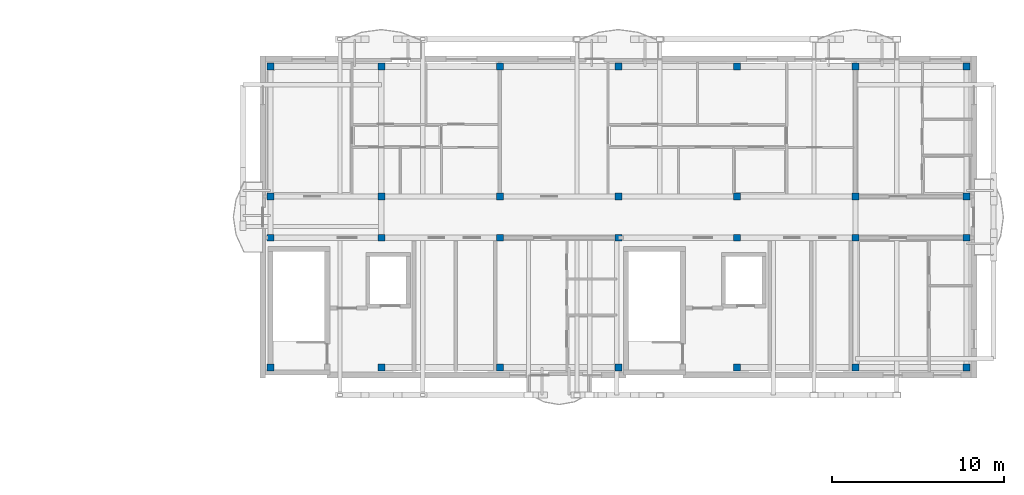
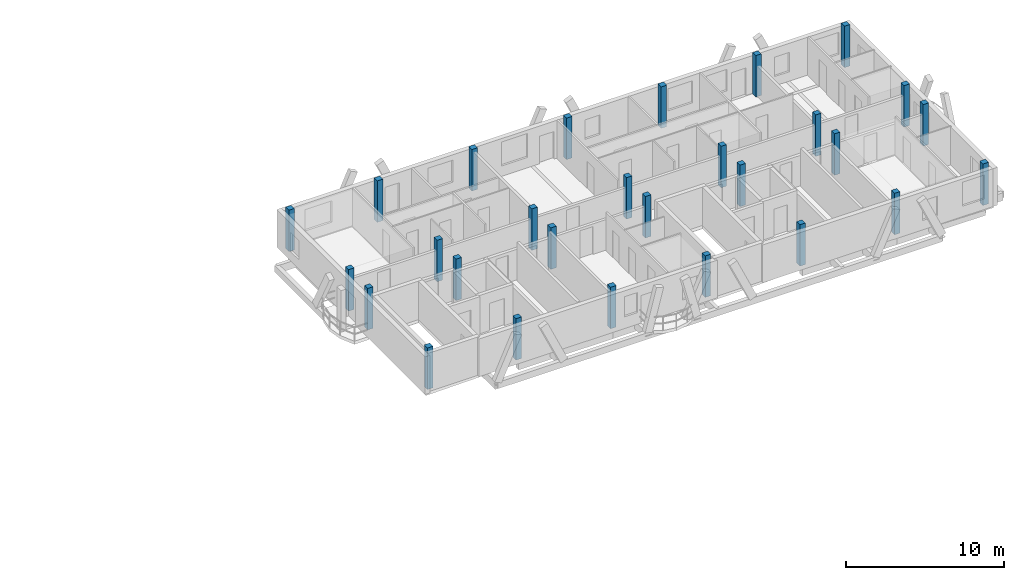
# One storey, part 2 of 29: 28 columns.
"""IFC4 building model written with IfcOpenShell, lengths in metres."""

from ifc_helpers import new_model, si_unit, direction, frame, origin, origin_2d, place, context, subcontext, project, spatial, rectangle, extrude, material, material_profile, profile_set, type_object, element, save


model = new_model("IFC4")

# Units and contexts
model_context = context("Model", 3, precision=1e-05, world=origin(), true_north=direction((0.0, 1.0)))
body_context = subcontext(model_context, "Body", "Model", "MODEL_VIEW")
ifc_project = project(units=[si_unit("LENGTHUNIT", "METRE"), si_unit("AREAUNIT", "SQUARE_METRE"), si_unit("VOLUMEUNIT", "CUBIC_METRE"), si_unit("PLANEANGLEUNIT", "RADIAN"), si_unit("MASSUNIT", "GRAM", prefix="KILO")], contexts=[model_context])

# Site, building, storey
site_placement = place(None, origin())
site = spatial("IfcSite", under=ifc_project, at=site_placement, CompositionType="ELEMENT")
building_placement = place(site_placement, origin())
building = spatial("IfcBuilding", under=site, at=building_placement, Name="Zavelmont Quarter", CompositionType="ELEMENT")
storey_placement = place(building_placement, frame((0.0, 0.0, 33.60009765625)))
storey = spatial("IfcBuildingStorey", under=building, at=storey_placement, Name="L10", CompositionType="ELEMENT", Elevation=33.60009765625)

# Columns
ifc_material = material(Name="Concrete C35/45", Category="concrete")
ifc_material_profile = material_profile(ifc_material, rectangle(XDim=0.39990234375, YDim=0.39990234375, at=origin_2d()), Name="RC400X400")
ifc_profile_set = profile_set([ifc_material_profile], Name="Concrete C35/45")
column_type = type_object("IfcColumnType", Name="CL05", PredefinedType="COLUMN", material=ifc_profile_set)
for number, where, z_axis, x_axis, name in (
    (1, (127.0400390625, 98.0400390625, 0.0), (0.0, 0.0, 1.0), (1.0, 0.0, 0.0), "L10 column CL05 at 19/P"),
    (2, (127.0400390625, 105.60009765625, 0.0), (0.0, 0.0, 1.0), (1.0, 0.0, 0.0), "L10 column CL05 at 19/Q"),
    (3, (127.0400390625, 108.0, 0.0), (0.0, 0.0, 1.0), (1.0, 0.0, 0.0), "L10 column CL05 at 19/R"),
    (4, (127.0400390625, 115.56005859375, 0.0), (0.0, 0.0, 1.0), (1.0, 0.0, 0.0), "L10 column CL05 at 19/S"),
    (5, (133.5, 98.0400390625, 0.0), (0.0, 0.0, 1.0), (1.0, 0.0, 0.0), "L10 column CL05 at 20/P"),
    (6, (133.5, 105.60009765625, 0.0), (0.0, 0.0, 1.0), (1.0, 0.0, 0.0), "L10 column CL05 at 20/Q"),
    (7, (133.5, 108.0, 0.0), (0.0, 0.0, 1.0), (1.0, 0.0, 0.0), "L10 column CL05 at 20/R"),
    (8, (133.5, 115.56005859375, 0.0), (0.0, 0.0, 1.0), (1.0, 0.0, 0.0), "L10 column CL05 at 20/S"),
    (9, (140.39990234375, 98.0400390625, 0.0), (0.0, 0.0, 1.0), (1.0, 0.0, 0.0), "L10 column CL05 at 21/P"),
    (10, (140.39990234375, 105.60009765625, 0.0), (0.0, 0.0, 1.0), (1.0, 0.0, 0.0), "L10 column CL05 at 21/Q"),
    (11, (140.39990234375, 108.0, 0.0), (0.0, 0.0, 1.0), (1.0, 0.0, 0.0), "L10 column CL05 at 21/R"),
    (12, (140.39990234375, 115.56005859375, 0.0), (0.0, 0.0, 1.0), (1.0, 0.0, 0.0), "L10 column CL05 at 21/S"),
    (13, (147.300048828125, 98.0400390625, 0.0), (0.0, 0.0, 1.0), (1.0, 0.0, 0.0), "L10 column CL05 at 22/P"),
    (14, (147.300048828125, 105.60009765625, 0.0), (0.0, 0.0, 1.0), (1.0, 0.0, 0.0), "L10 column CL05 at 22/Q"),
    (15, (147.300048828125, 108.0, 0.0), (0.0, 0.0, 1.0), (1.0, 0.0, 0.0), "L10 column CL05 at 22/R"),
    (16, (147.300048828125, 115.56005859375, 0.0), (0.0, 0.0, 1.0), (1.0, 0.0, 0.0), "L10 column CL05 at 22/S"),
    (17, (154.199951171875, 98.0400390625, 0.0), (0.0, 0.0, 1.0), (1.0, 0.0, 0.0), "L10 column CL05 at 23/P"),
    (18, (154.199951171875, 105.60009765625, 0.0), (0.0, 0.0, 1.0), (1.0, 0.0, 0.0), "L10 column CL05 at 23/Q"),
    (19, (154.199951171875, 108.0, 0.0), (0.0, 0.0, 1.0), (1.0, 0.0, 0.0), "L10 column CL05 at 23/R"),
    (20, (154.199951171875, 115.56005859375, 0.0), (0.0, 0.0, 1.0), (1.0, 0.0, 0.0), "L10 column CL05 at 23/S"),
    (21, (161.10009765625, 98.0400390625, 0.0), (0.0, 0.0, 1.0), (1.0, 0.0, 0.0), "L10 column CL05 at 24/P"),
    (22, (161.10009765625, 105.60009765625, 0.0), (0.0, 0.0, 1.0), (1.0, 0.0, 0.0), "L10 column CL05 at 24/Q"),
    (23, (161.10009765625, 108.0, 0.0), (0.0, 0.0, 1.0), (1.0, 0.0, 0.0), "L10 column CL05 at 24/R"),
    (24, (161.10009765625, 115.56005859375, 0.0), (0.0, 0.0, 1.0), (1.0, 0.0, 0.0), "L10 column CL05 at 24/S"),
    (25, (167.56005859375, 98.0400390625, 0.0), (0.0, 0.0, 1.0), (1.0, 0.0, 0.0), "L10 column CL05 at 25/P"),
    (26, (167.56005859375, 105.60009765625, 0.0), (0.0, 0.0, 1.0), (1.0, 0.0, 0.0), "L10 column CL05 at 25/Q"),
    (27, (167.56005859375, 108.0, 0.0), (0.0, 0.0, 1.0), (1.0, 0.0, 0.0), "L10 column CL05 at 25/R"),
    (28, (167.56005859375, 115.56005859375, 0.0), (0.0, 0.0, 1.0), (1.0, 0.0, 0.0), "L10 column CL05 at 25/S"),
):
    element("IfcColumn", number, at=place(storey_placement, frame(where, z_axis=z_axis, x_axis=x_axis)), inside=storey, type_object=column_type, Name=name, PredefinedType="COLUMN", context=body_context, shape_type="SweptSolid", body=[
        extrude(rectangle(XDim=0.39990234375, YDim=0.39990234375, at=origin_2d()), origin(), (0.0, 0.0, 1.0), 3.199951171875),
    ])

save(model, "model.ifc")
